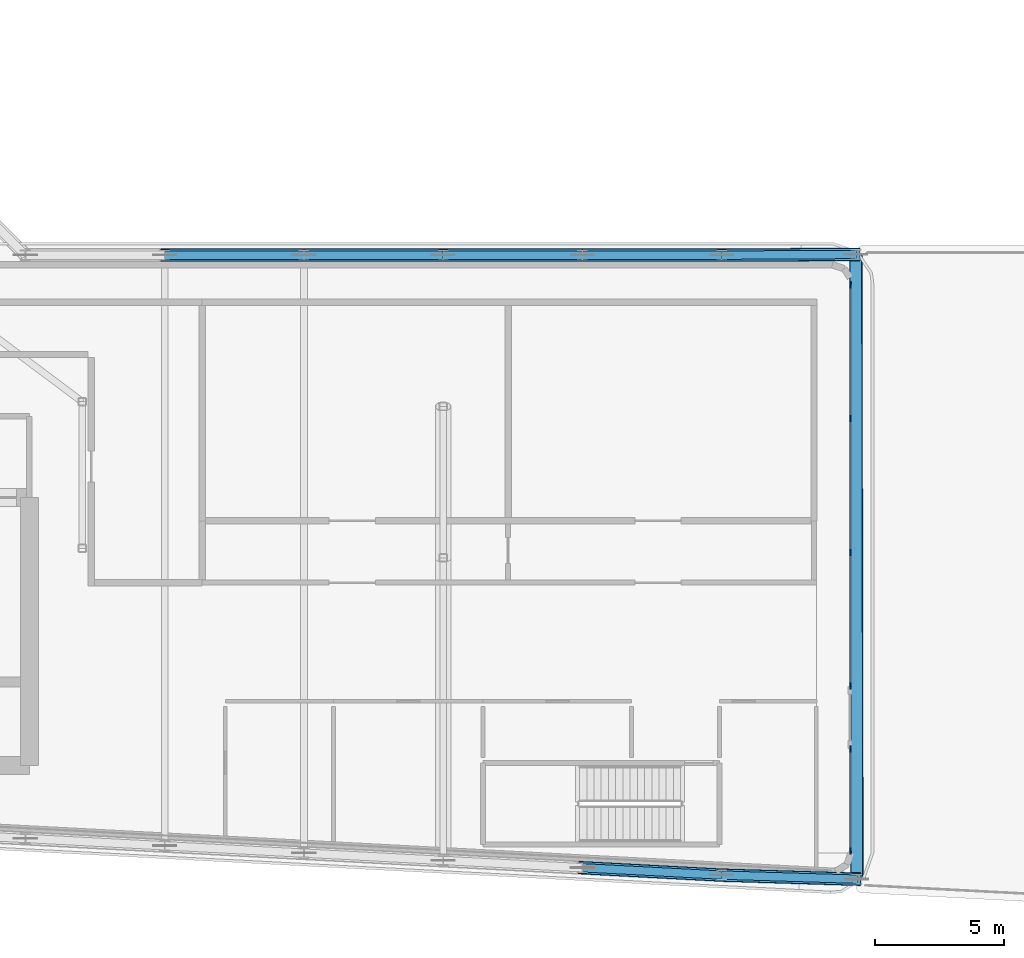
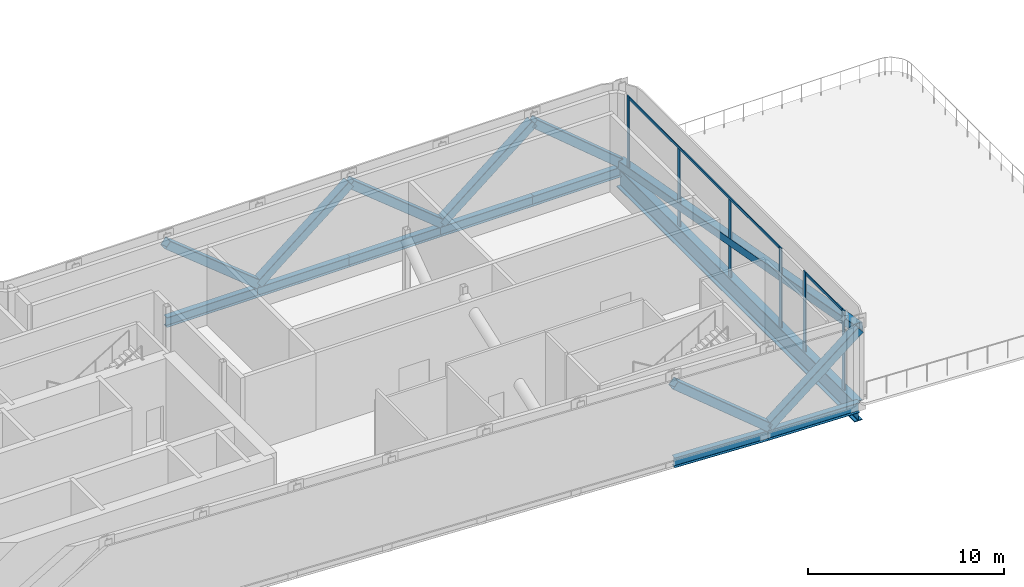
# One storey, part 5 of 23: 16 members, 8 beams, 2 elements without a shape of their own.
"""IFC4 building model written with IfcOpenShell, lengths in metres."""

from ifc_helpers import new_model, si_unit, direction, frame, origin, origin_2d, place, context, subcontext, project, spatial, rectangle, hollow_rectangle, i_section, extrude, material, layer, layer_set, material_profile, profile_set, type_object, element, aggregate, save


model = new_model("IFC4")

# Units and contexts
model_context = context("Model", 3, precision=1e-05, world=origin(), true_north=direction((0.0, 1.0)))
body_context = subcontext(model_context, "Body", "Model", "MODEL_VIEW")
ifc_project = project(units=[si_unit("LENGTHUNIT", "METRE"), si_unit("AREAUNIT", "SQUARE_METRE"), si_unit("VOLUMEUNIT", "CUBIC_METRE"), si_unit("PLANEANGLEUNIT", "RADIAN"), si_unit("MASSUNIT", "GRAM", prefix="KILO")], contexts=[model_context])

# Site, building, storey
site_placement = place(None, origin())
site = spatial("IfcSite", under=ifc_project, at=site_placement, CompositionType="ELEMENT")
building_placement = place(site_placement, origin())
building = spatial("IfcBuilding", under=site, at=building_placement, Name="Kheshtan School and Residences Tower", CompositionType="ELEMENT")
storey_placement = place(building_placement, frame((0.0, 0.0, 211.10009765625)))
storey = spatial("IfcBuildingStorey", under=building, at=storey_placement, Name="L49", CompositionType="ELEMENT", Elevation=211.10009765625)

# Beams
ifc_material_1 = material(Name="Steel ASTM A992 Grade 50", Category="steel")
ifc_material_profile_1 = material_profile(ifc_material_1, i_section(OverallWidth=0.324951171875, OverallDepth=0.615966796875, WebThickness=0.013916015625, FlangeThickness=0.021484375, FilletRadius=0.0185546875, at=origin_2d()), Name="W610x174")
ifc_profile_set_1 = profile_set([ifc_material_profile_1], Name="Steel ASTM A992 Grade 50")
beam_type_1 = type_object("IfcBeamType", Name="Beam SP5 W610x174 ASTM A992 Grade 50", PredefinedType="BEAM", material=ifc_profile_set_1)
beam_1_placement = place(storey_placement, frame((58.39990234375, 45.60009765625, -0.4580078125), z_axis=(1.0, 0.0, 0.0), x_axis=(0.0, 1.0, 0.0)))
element("IfcBeam", 1, at=beam_1_placement, inside=storey, type_object=beam_type_1, Name="Spandrel beam C062-C063", PredefinedType="BEAM", context=body_context, shape_type="SweptSolid", body=[
    extrude(i_section(OverallWidth=0.324951171875, OverallDepth=0.615966796875, WebThickness=0.013916015625, FlangeThickness=0.021484375, FilletRadius=0.0185546875, at=origin_2d()), origin(), (0.0, 0.0, 1.0), 5.400146484375),
])
beam_2_placement = place(storey_placement, frame((63.800048828125, 45.60009765625, -0.4580078125), z_axis=(1.0, 0.0, 0.0), x_axis=(0.0, 1.0, 0.0)))
element("IfcBeam", 2, at=beam_2_placement, inside=storey, type_object=beam_type_1, Name="Spandrel beam C063-C064", PredefinedType="BEAM", context=body_context, shape_type="SweptSolid", body=[
    extrude(i_section(OverallWidth=0.324951171875, OverallDepth=0.615966796875, WebThickness=0.013916015625, FlangeThickness=0.021484375, FilletRadius=0.0185546875, at=origin_2d()), origin(), (0.0, 0.0, 1.0), 5.39990234375),
])
beam_3_placement = place(storey_placement, frame((69.199951171875, 45.60009765625, -0.4580078125), z_axis=(1.0, 0.0, 0.0), x_axis=(0.0, 1.0, 0.0)))
element("IfcBeam", 3, at=beam_3_placement, inside=storey, type_object=beam_type_1, Name="Spandrel beam C064-C065", PredefinedType="BEAM", context=body_context, shape_type="SweptSolid", body=[
    extrude(i_section(OverallWidth=0.324951171875, OverallDepth=0.615966796875, WebThickness=0.013916015625, FlangeThickness=0.021484375, FilletRadius=0.0185546875, at=origin_2d()), origin(), (0.0, 0.0, 1.0), 5.400146484375),
])
beam_4_placement = place(storey_placement, frame((74.60009765625, 45.60009765625, -0.4580078125), z_axis=(1.0, 0.0, 0.0), x_axis=(0.0, 1.0, 0.0)))
element("IfcBeam", 4, at=beam_4_placement, inside=storey, type_object=beam_type_1, Name="Spandrel beam C065-C066", PredefinedType="BEAM", context=body_context, shape_type="SweptSolid", body=[
    extrude(i_section(OverallWidth=0.324951171875, OverallDepth=0.615966796875, WebThickness=0.013916015625, FlangeThickness=0.021484375, FilletRadius=0.0185546875, at=origin_2d()), origin(), (0.0, 0.0, 1.0), 5.39990234375),
])
beam_5_placement = place(storey_placement, frame((80.0, 45.60009765625, -0.4580078125), z_axis=(0.999985687161, 0.005350277765, 0.0), x_axis=(-0.005350277765, 0.999985687161, 0.0)))
element("IfcBeam", 5, at=beam_5_placement, inside=storey, type_object=beam_type_1, Name="Spandrel beam C066-C076", PredefinedType="BEAM", context=body_context, shape_type="SweptSolid", body=[
    extrude(i_section(OverallWidth=0.324951171875, OverallDepth=0.615966796875, WebThickness=0.013916015625, FlangeThickness=0.021484375, FilletRadius=0.0185546875, at=origin_2d()), origin(), (0.0, 0.0, 1.0), 5.201904296875),
])
beam_6_placement = place(storey_placement, frame((85.243896484375, 21.39990234375, -0.4580078125), z_axis=(-0.999545226068, 0.030155282206, 0.0), x_axis=(-0.030155282206, -0.999545226068, 0.0)))
element("IfcBeam", 6, at=beam_6_placement, inside=storey, type_object=beam_type_1, Name="Spandrel beam C011-C012", PredefinedType="BEAM", context=body_context, shape_type="SweptSolid", body=[
    extrude(i_section(OverallWidth=0.324951171875, OverallDepth=0.615966796875, WebThickness=0.013916015625, FlangeThickness=0.021484375, FilletRadius=0.0185546875, at=origin_2d()), origin(), (0.0, 0.0, 1.0), 5.246337890625),
])
beam_7_placement = place(storey_placement, frame((80.0, 21.55810546875, -0.4580078125), z_axis=(-0.998610961136, 0.052689166816, 0.0), x_axis=(-0.052689166816, -0.998610961136, 0.0)))
element("IfcBeam", 7, at=beam_7_placement, inside=storey, type_object=beam_type_1, Name="Spandrel beam C012-C013", PredefinedType="BEAM", context=body_context, shape_type="SweptSolid", body=[
    extrude(i_section(OverallWidth=0.324951171875, OverallDepth=0.615966796875, WebThickness=0.013916015625, FlangeThickness=0.021484375, FilletRadius=0.0185546875, at=origin_2d()), origin(), (0.0, 0.0, 1.0), 5.407470703125),
])

# Curtain wall, members
ifc_material_2 = material(Name="Clear low-e glass in thermally broken aluminium frame", Category="aluminium")
ifc_layer = layer(ifc_material_2, 0.25)
ifc_layer_set = layer_set([ifc_layer], Name="Curtain wall CW-G")
curtain_wall_type = type_object("IfcCurtainWallType", Name="Curtain wall CW-G", PredefinedType="NOTDEFINED", material=ifc_layer_set)
curtain_wall_1_placement = place(storey_placement, origin())
curtain_wall_1 = element("IfcCurtainWall", 8, at=curtain_wall_1_placement, inside=storey, type_object=curtain_wall_type, Name="Curtain wall CWG3", PredefinedType="NOTDEFINED")
ifc_material_3 = material(Name="Thermally broken aluminium, dark bronze anodised", Category="aluminium")
ifc_material_profile_2 = material_profile(ifc_material_3, rectangle(XDim=0.06005859375, YDim=0.25, at=origin_2d()), Name="CW-G mullion 60x250")
ifc_profile_set_2 = profile_set([ifc_material_profile_2], Name="Thermally broken aluminium, dark bronze anodised")
member_type_1 = type_object("IfcMemberType", Name="CW-G mullion 60x250", PredefinedType="MULLION", material=ifc_profile_set_2)
member_1_placement = place(storey_placement, frame((85.0, 44.43994140625, 0.0), z_axis=(0.0, 0.0, 1.0), x_axis=(1.0, 0.0, 0.0)))
member_1 = element("IfcMember", 9, at=member_1_placement, type_object=member_type_1, Name="CWG3 mullion 1", PredefinedType="MULLION", context=body_context, shape_type="SweptSolid", body=[
    extrude(rectangle(XDim=0.06005859375, YDim=0.25, at=origin_2d()), origin(), (0.0, 0.0, 1.0), 4.949951171875),
])
member_2_placement = place(storey_placement, frame((85.0, 39.27001953125, 0.0), z_axis=(0.0, 0.0, 1.0), x_axis=(1.0, 0.0, 0.0)))
member_2 = element("IfcMember", 10, at=member_2_placement, type_object=member_type_1, Name="CWG3 mullion 2", PredefinedType="MULLION", context=body_context, shape_type="SweptSolid", body=[
    extrude(rectangle(XDim=0.06005859375, YDim=0.25, at=origin_2d()), origin(), (0.0, 0.0, 1.0), 4.789794921875),
])
member_3_placement = place(storey_placement, frame((85.0, 34.070068359375, 0.0), z_axis=(0.0, 0.0, 1.0), x_axis=(1.0, 0.0, 0.0)))
member_3 = element("IfcMember", 11, at=member_3_placement, type_object=member_type_1, Name="CWG3 mullion 3", PredefinedType="MULLION", context=body_context, shape_type="SweptSolid", body=[
    extrude(rectangle(XDim=0.06005859375, YDim=0.25, at=origin_2d()), origin(), (0.0, 0.0, 1.0), 4.789794921875),
])
member_4_placement = place(storey_placement, frame((85.0, 28.89990234375, 0.0), z_axis=(0.0, 0.0, 1.0), x_axis=(1.0, 0.0, 0.0)))
member_4 = element("IfcMember", 12, at=member_4_placement, type_object=member_type_1, Name="CWG3 mullion 4", PredefinedType="MULLION", context=body_context, shape_type="SweptSolid", body=[
    extrude(rectangle(XDim=0.06005859375, YDim=0.25, at=origin_2d()), origin(), (0.0, 0.0, 1.0), 4.949951171875),
])

curtain_wall_2_placement = place(storey_placement, origin())
curtain_wall_2 = element("IfcCurtainWall", 13, at=curtain_wall_2_placement, inside=storey, type_object=curtain_wall_type, Name="Curtain wall CWG3a", PredefinedType="NOTDEFINED")
member_5_placement = place(storey_placement, frame((85.0, 26.43994140625, 0.0), z_axis=(0.0, 0.0, 1.0), x_axis=(1.0, 0.0, 0.0)))
member_5 = element("IfcMember", 14, at=member_5_placement, type_object=member_type_1, Name="CWG3a mullion 1", PredefinedType="MULLION", context=body_context, shape_type="SweptSolid", body=[
    extrude(rectangle(XDim=0.06005859375, YDim=0.25, at=origin_2d()), origin(), (0.0, 0.0, 1.0), 4.949951171875),
])
member_6_placement = place(storey_placement, frame((85.0, 22.4951171875, 0.0), z_axis=(0.0, 0.0, 1.0), x_axis=(1.0, 0.0, 0.0)))
member_6 = element("IfcMember", 15, at=member_6_placement, type_object=member_type_1, Name="CWG3a mullion 2", PredefinedType="MULLION", context=body_context, shape_type="SweptSolid", body=[
    extrude(rectangle(XDim=0.06005859375, YDim=0.25, at=origin_2d()), origin(), (0.0, 0.0, 1.0), 4.949951171875),
])

# Member
ifc_material_profile_3 = material_profile(ifc_material_3, rectangle(XDim=0.06005859375, YDim=0.159912109375, at=origin_2d()), Name="CW-G transom 60x160")
ifc_profile_set_3 = profile_set([ifc_material_profile_3], Name="Thermally broken aluminium, dark bronze anodised")
member_type_2 = type_object("IfcMemberType", Name="CW-G transom 60x160", PredefinedType="USERDEFINED", material=ifc_profile_set_3)
member_7_placement = place(storey_placement, frame((85.0, 44.409912109375, 4.869873046875), z_axis=(0.0, -1.0, 0.0), x_axis=(1.0, 0.0, 0.0)))
member_7 = element("IfcMember", 16, at=member_7_placement, type_object=member_type_2, Name="CWG3 transom 1", ObjectType="TRANSOM", PredefinedType="USERDEFINED", context=body_context, shape_type="SweptSolid", body=[
    extrude(rectangle(XDim=0.06005859375, YDim=0.159912109375, at=origin_2d()), origin(), (0.0, 0.0, 1.0), 15.47998046875),
])

aggregate(curtain_wall_1, [member_1, member_2, member_3, member_4, member_7])

member_8_placement = place(storey_placement, frame((85.0, 26.409912109375, 4.869873046875), z_axis=(0.0, -1.0, 0.0), x_axis=(1.0, 0.0, 0.0)))
member_8 = element("IfcMember", 17, at=member_8_placement, type_object=member_type_2, Name="CWG3a transom 1", ObjectType="TRANSOM", PredefinedType="USERDEFINED", context=body_context, shape_type="SweptSolid", body=[
    extrude(rectangle(XDim=0.06005859375, YDim=0.159912109375, at=origin_2d()), origin(), (0.0, 0.0, 1.0), 3.885009765625),
])

aggregate(curtain_wall_2, [member_5, member_6, member_8])

# Members
ifc_material_4 = material(Name="Steel ASTM A500 Grade C", Category="steel")
ifc_material_profile_4 = material_profile(ifc_material_4, hollow_rectangle(XDim=0.508056640625, YDim=0.508056640625, WallThickness=0.01904296875, InnerFilletRadius=0.01904296875, OuterFilletRadius=0.0380859375, at=origin_2d()), Name="HSS 508x508x19")
ifc_profile_set_4 = profile_set([ifc_material_profile_4], Name="Steel ASTM A500 Grade C")
member_type_3 = type_object("IfcMemberType", Name="Member BT2 HSS 508x508x19 ASTM A500 Grade C", PredefinedType="BRACE", material=ifc_profile_set_4)
member_9_placement = place(storey_placement, frame((63.800048828125, 45.60009765625, 0.0498046875), z_axis=(-0.777551766021, 0.0, 0.628818933523), x_axis=(0.0, -1.0, 0.0)))
element("IfcMember", 18, at=member_9_placement, inside=storey, type_object=member_type_3, Name="Belt truss diagonal C062-C063", PredefinedType="BRACE", context=body_context, shape_type="SweptSolid", body=[
    extrude(hollow_rectangle(XDim=0.508056640625, YDim=0.508056640625, WallThickness=0.01904296875, InnerFilletRadius=0.01904296875, OuterFilletRadius=0.0380859375, at=origin_2d()), origin(), (0.0, 0.0, 1.0), 6.945068359375),
])
member_10_placement = place(storey_placement, frame((63.800048828125, 45.60009765625, 0.0498046875), z_axis=(0.777537865444, 0.0, 0.628836121578), x_axis=(0.0, 1.0, 0.0)))
element("IfcMember", 19, at=member_10_placement, inside=storey, type_object=member_type_3, Name="Belt truss diagonal C063-C064", PredefinedType="BRACE", context=body_context, shape_type="SweptSolid", body=[
    extrude(hollow_rectangle(XDim=0.508056640625, YDim=0.508056640625, WallThickness=0.01904296875, InnerFilletRadius=0.01904296875, OuterFilletRadius=0.0380859375, at=origin_2d()), origin(), (0.0, 0.0, 1.0), 6.94482421875),
])
member_11_placement = place(storey_placement, frame((74.60009765625, 45.60009765625, 0.0498046875), z_axis=(-0.777551766021, 0.0, 0.628818933523), x_axis=(0.0, -1.0, 0.0)))
element("IfcMember", 20, at=member_11_placement, inside=storey, type_object=member_type_3, Name="Belt truss diagonal C064-C065", PredefinedType="BRACE", context=body_context, shape_type="SweptSolid", body=[
    extrude(hollow_rectangle(XDim=0.508056640625, YDim=0.508056640625, WallThickness=0.01904296875, InnerFilletRadius=0.01904296875, OuterFilletRadius=0.0380859375, at=origin_2d()), origin(), (0.0, 0.0, 1.0), 6.945068359375),
])
member_12_placement = place(storey_placement, frame((74.60009765625, 45.60009765625, 0.0498046875), z_axis=(0.777537865444, 0.0, 0.628836121578), x_axis=(0.0, 1.0, 0.0)))
element("IfcMember", 21, at=member_12_placement, inside=storey, type_object=member_type_3, Name="Belt truss diagonal C065-C066", PredefinedType="BRACE", context=body_context, shape_type="SweptSolid", body=[
    extrude(hollow_rectangle(XDim=0.508056640625, YDim=0.508056640625, WallThickness=0.01904296875, InnerFilletRadius=0.01904296875, OuterFilletRadius=0.0380859375, at=origin_2d()), origin(), (0.0, 0.0, 1.0), 6.94482421875),
])
member_13_placement = place(storey_placement, frame((85.201904296875, 45.6279296875, 0.0498046875), z_axis=(-0.765873309497, -0.004097693588, 0.642978446534), x_axis=(0.005350277765, -0.999985687161, 0.0)))
element("IfcMember", 22, at=member_13_placement, inside=storey, type_object=member_type_3, Name="Belt truss diagonal C066-C076", PredefinedType="BRACE", context=body_context, shape_type="SweptSolid", body=[
    extrude(hollow_rectangle(XDim=0.508056640625, YDim=0.508056640625, WallThickness=0.01904296875, InnerFilletRadius=0.01904296875, OuterFilletRadius=0.0380859375, at=origin_2d()), origin(), (0.0, 0.0, 1.0), 6.792236328125),
])
member_14_placement = place(storey_placement, frame((85.201904296875, 45.6279296875, 0.0498046875), z_axis=(0.001705715532, -0.984138360166, 0.177394415311), x_axis=(0.999998498, 0.001733204434, 0.0)))
element("IfcMember", 23, at=member_14_placement, inside=storey, type_object=member_type_3, Name="Belt truss diagonal C076-C011", PredefinedType="BRACE", context=body_context, shape_type="SweptSolid", body=[
    extrude(hollow_rectangle(XDim=0.508056640625, YDim=0.508056640625, WallThickness=0.01904296875, InnerFilletRadius=0.01904296875, OuterFilletRadius=0.0380859375, at=origin_2d()), origin(), (0.0, 0.0, 1.0), 24.618408203125),
])
member_15_placement = place(storey_placement, frame((80.0, 21.55810546875, 0.0498046875), z_axis=(0.768211314672, -0.023176168905, 0.639776711991), x_axis=(0.030155282206, 0.999545226068, 0.0)))
element("IfcMember", 24, at=member_15_placement, inside=storey, type_object=member_type_3, Name="Belt truss diagonal C011-C012", PredefinedType="BRACE", context=body_context, shape_type="SweptSolid", body=[
    extrude(hollow_rectangle(XDim=0.508056640625, YDim=0.508056640625, WallThickness=0.01904296875, InnerFilletRadius=0.01904296875, OuterFilletRadius=0.0380859375, at=origin_2d()), origin(), (0.0, 0.0, 1.0), 6.826171875),
])
member_16_placement = place(storey_placement, frame((80.0, 21.55810546875, 0.0498046875), z_axis=(-0.776884378559, 0.040990327777, 0.628307612066), x_axis=(-0.052689166816, -0.998610961136, 0.0)))
element("IfcMember", 25, at=member_16_placement, inside=storey, type_object=member_type_3, Name="Belt truss diagonal C012-C013", PredefinedType="BRACE", context=body_context, shape_type="SweptSolid", body=[
    extrude(hollow_rectangle(XDim=0.508056640625, YDim=0.508056640625, WallThickness=0.01904296875, InnerFilletRadius=0.01904296875, OuterFilletRadius=0.0380859375, at=origin_2d()), origin(), (0.0, 0.0, 1.0), 6.95068359375),
])

# Beam
ifc_material_profile_5 = material_profile(ifc_material_1, i_section(OverallWidth=0.449951171875, OverallDepth=1.25, WebThickness=0.02490234375, FlangeThickness=0.044921875, FilletRadius=0.03759765625, at=origin_2d()), Name="WWF1250x546")
ifc_profile_set_5 = profile_set([ifc_material_profile_5], Name="Steel ASTM A992 Grade 50")
beam_type_2 = type_object("IfcBeamType", Name="Transfer girder TG4 WWF1250x546 ASTM A992 Grade 50", PredefinedType="BEAM", material=ifc_profile_set_5)
beam_8_placement = place(storey_placement, frame((85.201904296875, 45.6279296875, -0.775146484375), z_axis=(0.001733204434, -0.999998498, 0.0), x_axis=(0.999998498, 0.001733204434, 0.0)))
element("IfcBeam", 26, at=beam_8_placement, inside=storey, type_object=beam_type_2, Name="Transfer girder C076-C011", PredefinedType="BEAM", context=body_context, shape_type="SweptSolid", body=[
    extrude(i_section(OverallWidth=0.449951171875, OverallDepth=1.25, WebThickness=0.02490234375, FlangeThickness=0.044921875, FilletRadius=0.03759765625, at=origin_2d()), origin(), (0.0, 0.0, 1.0), 24.22802734375),
])

save(model, "model.ifc")
